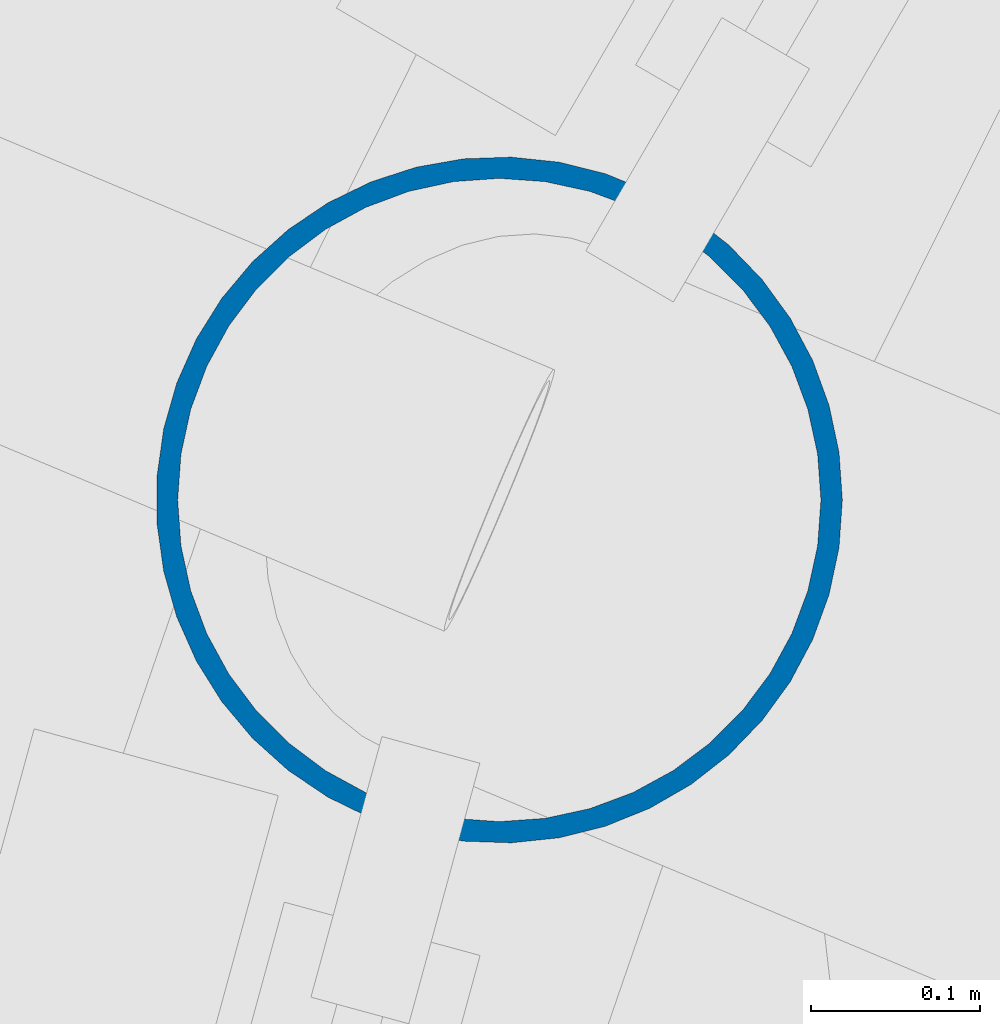
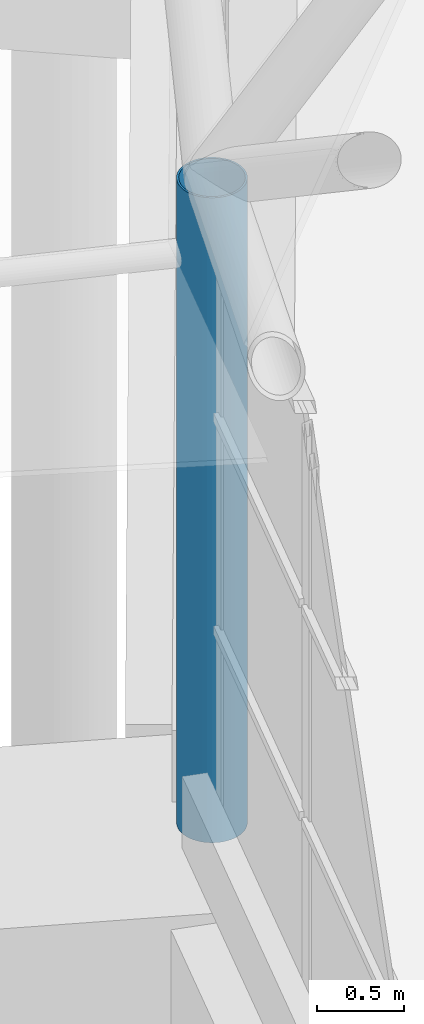
# One storey, part 27 of 226: 1 column.
"""IFC4 building model written with IfcOpenShell, lengths in metres."""

from ifc_helpers import new_model, si_unit, direction, frame, origin, origin_2d, place, context, subcontext, project, spatial, hollow_circle, extrude, material, material_profile, profile_set, type_object, element, save


model = new_model("IFC4")

# Units and contexts
model_context = context("Model", 3, precision=1e-05, world=origin(), true_north=direction((0.0, 1.0)))
body_context = subcontext(model_context, "Body", "Model", "MODEL_VIEW")
ifc_project = project(units=[si_unit("LENGTHUNIT", "METRE"), si_unit("AREAUNIT", "SQUARE_METRE"), si_unit("VOLUMEUNIT", "CUBIC_METRE"), si_unit("PLANEANGLEUNIT", "RADIAN"), si_unit("MASSUNIT", "GRAM", prefix="KILO")], contexts=[model_context])

# Site, building, storey
site_placement = place(None, origin())
site = spatial("IfcSite", under=ifc_project, at=site_placement, CompositionType="ELEMENT")
building_placement = place(site_placement, origin())
building = spatial("IfcBuilding", under=site, at=building_placement, Name="Ceibo Conservatory and Research Tower", CompositionType="ELEMENT")
storey_placement = place(building_placement, origin())
storey = spatial("IfcBuildingStorey", under=building, at=storey_placement, Name="L00", CompositionType="ELEMENT", Elevation=0.0)

# Column
ifc_material = material(Name="Steel ASTM A500 Gr C", Category="steel")
ifc_material_profile = material_profile(ifc_material, hollow_circle(Radius=0.203125, WallThickness=0.0126953125, at=origin_2d()), Name="CHS column 406.4x12.70")
ifc_profile_set = profile_set([ifc_material_profile], Name="Steel ASTM A500 Gr C")
column_type = type_object("IfcColumnType", Name="CHS column 406.4x12.70", PredefinedType="COLUMN", material=ifc_profile_set)
column_placement = place(storey_placement, frame((119.112060546875, 123.468505859375, 0.0), z_axis=(0.0, 0.0, 1.0), x_axis=(1.0, 0.0, 0.0)))
element("IfcColumn", 1, at=column_placement, inside=storey, type_object=column_type, Name="Drum column A-DC11", PredefinedType="COLUMN", context=body_context, shape_type="SweptSolid", body=[
    extrude(hollow_circle(Radius=0.203125, WallThickness=0.0126953125, at=origin_2d()), origin(), (0.0, 0.0, 1.0), 4.5),
])

save(model, "model.ifc")
